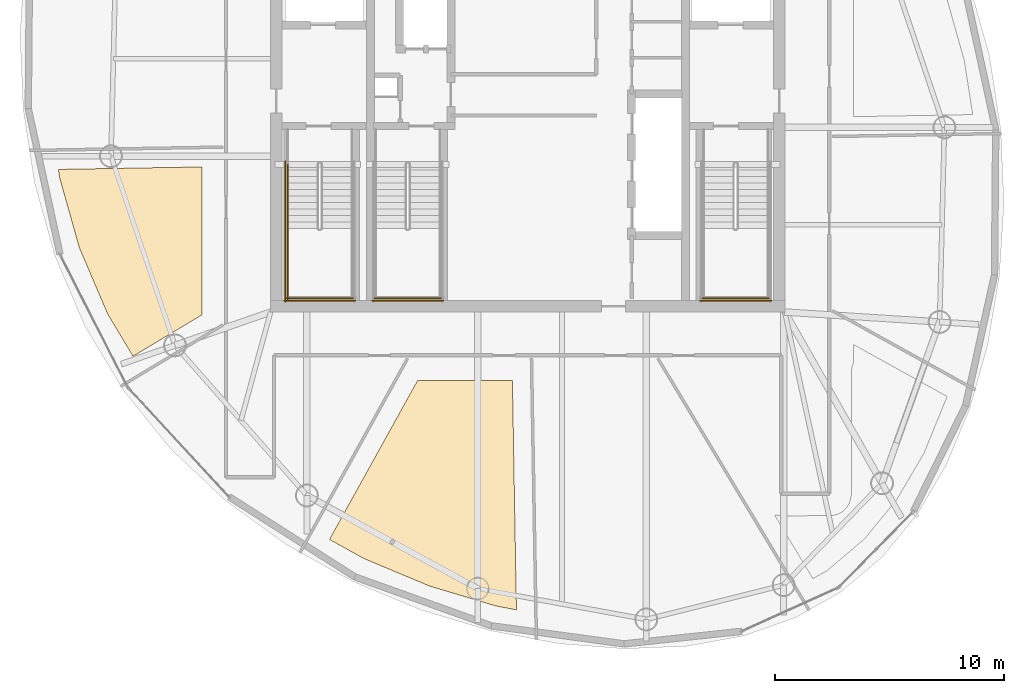
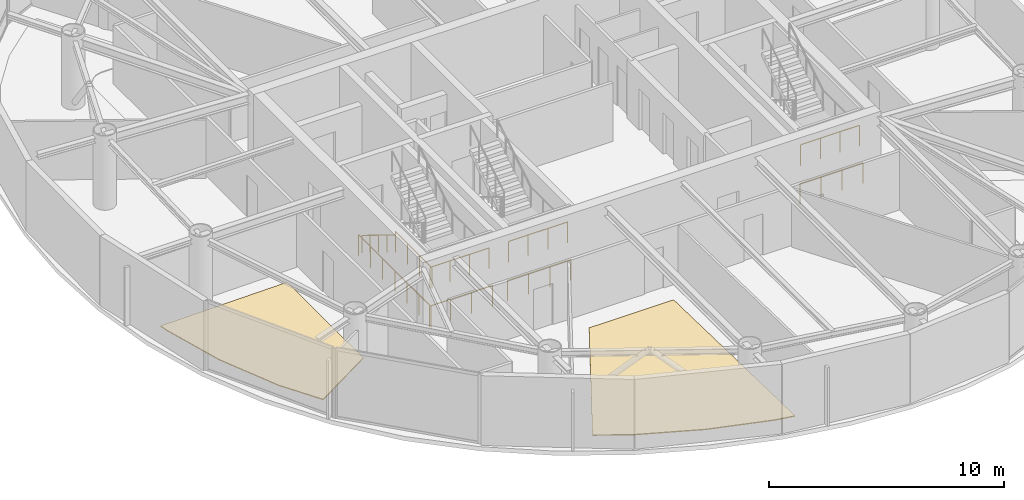
# One storey, part 20 of 22: 9 railings, 2 coverings.
"""IFC4 building model written with IfcOpenShell, lengths in metres."""

import ifcopenshell
import ifcopenshell.guid

model = None  # the IFC model being written
_history = None  # IfcOwnerHistory: only IFC2X3 demands one
_inside = {}  # id of a spatial element -> (the spatial element, [elements in it])
_under = {}  # id of a project, library or spatial element -> (it, [spatial elements below it])
_declared = {}  # id of a project -> (the project, [libraries it declares])
_typed = {}  # id of a type object -> (the type object, [elements of that type])
_made_of = {}  # id of a material, layer set ... -> (it, [elements and type objects made of it])


def new_model(schema):
    """Start an empty IFC model of exactly this schema.

    Asked for "IFC4X3", IfcOpenShell would pick the latest addendum, in which some entities
    have other attributes; the version numbers below select the first issue.
    IFC2X3 requires an IfcOwnerHistory on every rooted entity: one is made here for all.
    """
    global model, _history
    if schema == "IFC4X3":
        model = ifcopenshell.file(schema_version=(4, 3, 0, 0))
    else:
        model = ifcopenshell.file(schema=schema)
    _inside.clear()
    _under.clear()
    _declared.clear()
    _typed.clear()
    _made_of.clear()
    _history = None
    if model.schema == "IFC2X3":
        org = make("IfcOrganization", Name="unknown")
        user = make(
            "IfcPersonAndOrganization",
            ThePerson=make("IfcPerson", FamilyName="unknown"),
            TheOrganization=org,
        )
        app = make(
            "IfcApplication",
            ApplicationDeveloper=org,
            Version="unknown",
            ApplicationFullName="unknown",
            ApplicationIdentifier="unknown",
        )
        _history = make(
            "IfcOwnerHistory",
            OwningUser=user,
            OwningApplication=app,
            ChangeAction="ADDED",
            CreationDate=0,
        )
    return model


def make(cls, **values):
    """One entity of the class cls with the attributes given. An attribute that is None is left unset."""
    return model.create_entity(
        cls, **{name: value for name, value in values.items() if value is not None}
    )


def rooted(cls, **values):
    """An entity with a GlobalId (a new one), such as an element, a storey or a relation."""
    return make(cls, GlobalId=ifcopenshell.guid.new(), OwnerHistory=_history, **values)


def si_unit(unit_type, name, prefix=None):
    """IfcSIUnit, for example si_unit("LENGTHUNIT", "METRE", prefix="MILLI")."""
    return make("IfcSIUnit", UnitType=unit_type, Prefix=prefix, Name=name)


def assignment(units):
    """IfcUnitAssignment: the units of a project."""
    return None if units is None else make("IfcUnitAssignment", Units=units)


def point(xyz):
    """IfcCartesianPoint."""
    return None if xyz is None else make("IfcCartesianPoint", Coordinates=xyz)


def direction(xyz):
    """IfcDirection."""
    return None if xyz is None else make("IfcDirection", DirectionRatios=xyz)


def frame(location, z_axis=None, x_axis=None):
    """IfcAxis2Placement3D, a coordinate frame: its origin and axes. An axis left out is left unset."""
    return make(
        "IfcAxis2Placement3D",
        Location=point(location),
        Axis=direction(z_axis),
        RefDirection=direction(x_axis),
    )


def frame_2d(location, x_axis=None):
    """IfcAxis2Placement2D, a coordinate frame in the plane: its origin and x axis."""
    return make(
        "IfcAxis2Placement2D", Location=point(location), RefDirection=direction(x_axis)
    )


def origin():
    """The frame at (0, 0, 0) with its axes left unset."""
    return frame((0.0, 0.0, 0.0))


def origin_2d():
    """The frame at (0, 0) in the plane with its x axis left unset."""
    return frame_2d((0.0, 0.0))


def place(relative_to, where):
    """IfcLocalPlacement: puts the frame where relative to a parent placement (None: the world)."""
    return make(
        "IfcLocalPlacement", PlacementRelTo=relative_to, RelativePlacement=where
    )


def context(
    kind, dimensions, precision=None, world=None, true_north=None, identifier=None
):
    """IfcGeometricRepresentationContext, for example the 3D "Model" context."""
    return make(
        "IfcGeometricRepresentationContext",
        ContextIdentifier=identifier,
        ContextType=kind,
        CoordinateSpaceDimension=dimensions,
        Precision=precision,
        WorldCoordinateSystem=world,
        TrueNorth=true_north,
    )


def subcontext(parent, identifier, kind, view, scale=None):
    """IfcGeometricRepresentationSubContext, for example "Body" below "Model"."""
    return make(
        "IfcGeometricRepresentationSubContext",
        ContextIdentifier=identifier,
        ContextType=kind,
        ParentContext=parent,
        TargetScale=scale,
        TargetView=view,
    )


def project(units=None, contexts=None):
    """IfcProject with its units and contexts."""
    return rooted(
        "IfcProject",
        Name="project",
        RepresentationContexts=contexts,
        UnitsInContext=assignment(units),
    )


def spatial(cls, under=None, at=None, **own):
    """A site, building, storey or space (cls), placed at a placement, below another one or the project."""
    s = rooted(cls, ObjectPlacement=at, **own)
    if under is not None:
        _under.setdefault(under.id(), (under, []))[1].append(s)
    return s


def polyline(points):
    """IfcPolyline through the points."""
    return make("IfcPolyline", Points=[point(p) for p in points])


def profile(cls, at=None, kind="AREA", **sizes):
    """A parametric profile (cls). Its sizes go by their IFC names, for example OverallWidth=200.0."""
    return make(cls, ProfileType=kind, Position=at, **sizes)


def circle(**sizes):
    """IfcCircleProfileDef."""
    return profile("IfcCircleProfileDef", **sizes)


def outline(outer, holes=None, kind="AREA"):
    """IfcArbitraryClosedProfileDef: a profile drawn as a closed curve; with holes, ...WithVoids."""
    if holes is None:
        return make("IfcArbitraryClosedProfileDef", ProfileType=kind, OuterCurve=outer)
    return make(
        "IfcArbitraryProfileDefWithVoids",
        ProfileType=kind,
        OuterCurve=outer,
        InnerCurves=holes,
    )


def extrude(swept, where, along, depth):
    """IfcExtrudedAreaSolid: the profile swept, set in the frame where, extruded along a direction by depth."""
    return make(
        "IfcExtrudedAreaSolid",
        SweptArea=swept,
        Position=where,
        ExtrudedDirection=direction(along),
        Depth=depth,
    )


def shape(context_of_items, identifier, shape_type, items):
    """IfcShapeRepresentation: the items that make up one representation, for example the "Body"."""
    return make(
        "IfcShapeRepresentation",
        ContextOfItems=context_of_items,
        RepresentationIdentifier=identifier,
        RepresentationType=shape_type,
        Items=items,
    )


def material(Name=None, Category=None):
    """IfcMaterial."""
    return make("IfcMaterial", Name=Name, Category=Category)


def layer(
    of_material, thickness, ventilated=None, Name=None, Category=None, Priority=None
):
    """IfcMaterialLayer: one layer of a wall or slab, of a material (None: an air gap)."""
    return make(
        "IfcMaterialLayer",
        Material=of_material,
        LayerThickness=thickness,
        IsVentilated=ventilated,
        Name=Name,
        Category=Category,
        Priority=Priority,
    )


def layer_set(layers, Name=None):
    """IfcMaterialLayerSet."""
    return make("IfcMaterialLayerSet", MaterialLayers=layers, LayerSetName=Name)


def made_of(thing, what):
    """Note that an element or type object is made of a material, layer set ...; save() writes the relation."""
    if what is not None:
        _made_of.setdefault(what.id(), (what, []))[1].append(thing)
    return thing


def type_object(cls, material=None, **own):
    """A type object (cls), such as IfcWallType, which elements share."""
    return made_of(rooted(cls, **own), material)


def element(
    cls,
    number,
    at=None,
    inside=None,
    cuts=None,
    type_object=None,
    material=None,
    context=None,
    identifier="Body",
    shape_type=None,
    held_by="IfcProductDefinitionShape",
    body=None,
    shapes=None,
    **own,
):
    """One element of the class cls, such as IfcWall. Its Tag is "e" and its number.

    at: its placement. inside: the storey or other place that contains it. cuts: it is an
    opening in that element (IfcRelVoidsElement). A single representation is given by context,
    identifier, shape_type and body (its items); several are given by shapes. held_by: the class
    of the entity that holds the representations. save() writes the other relations.
    """
    e = rooted(cls, Tag="e%d" % number, ObjectPlacement=at, **own)
    if body is not None:
        shapes = [shape(context, identifier, shape_type, body)]
    if shapes is not None:
        e.Representation = make(held_by, Representations=shapes)
    if inside is not None:
        _inside.setdefault(inside.id(), (inside, []))[1].append(e)
    if cuts is not None:
        rooted(
            "IfcRelVoidsElement", RelatingBuildingElement=cuts, RelatedOpeningElement=e
        )
    if type_object is not None:
        _typed.setdefault(type_object.id(), (type_object, []))[1].append(e)
    return made_of(e, material)


def aggregate(whole, parts):
    """IfcRelAggregates: a whole, such as a stair, and the parts it consists of."""
    return rooted("IfcRelAggregates", RelatingObject=whole, RelatedObjects=parts)


def save(model, path):
    """Write the relations noted so far, then the file.

    IfcRelAggregates (storeys below a building ...), IfcRelContainedInSpatialStructure (elements
    in a storey), IfcRelDefinesByType, IfcRelAssociatesMaterial and IfcRelDeclares: one each for
    every whole, place, type object, material and project.
    """
    for whole, parts in _under.values():
        aggregate(whole, parts)
    for where, things in _inside.values():
        rooted(
            "IfcRelContainedInSpatialStructure",
            RelatedElements=things,
            RelatingStructure=where,
        )
    for kind, things in _typed.values():
        rooted("IfcRelDefinesByType", RelatedObjects=things, RelatingType=kind)
    for what, things in _made_of.values():
        rooted("IfcRelAssociatesMaterial", RelatedObjects=things, RelatingMaterial=what)
    for by, libraries in _declared.values():
        rooted("IfcRelDeclares", RelatingContext=by, RelatedDefinitions=libraries)
    model.write(path)


model = new_model("IFC4")

# Units and contexts
model_context = context("Model", 3, precision=1e-05, world=origin(), true_north=direction((0.0, 1.0)))
body_context = subcontext(model_context, "Body", "Model", "MODEL_VIEW")
ifc_project = project(units=[si_unit("LENGTHUNIT", "METRE"), si_unit("AREAUNIT", "SQUARE_METRE"), si_unit("VOLUMEUNIT", "CUBIC_METRE"), si_unit("PLANEANGLEUNIT", "RADIAN"), si_unit("MASSUNIT", "GRAM", prefix="KILO")], contexts=[model_context])

# Site, building, storey
site_placement = place(None, origin())
site = spatial("IfcSite", under=ifc_project, at=site_placement, CompositionType="ELEMENT")
building_placement = place(site_placement, origin())
building = spatial("IfcBuilding", under=site, at=building_placement, Name="Bramvorn Convention Spire", CompositionType="ELEMENT")
storey_placement = place(building_placement, frame((0.0, 0.0, 253.60009765625)))
storey = spatial("IfcBuildingStorey", under=building, at=storey_placement, Name="L64", CompositionType="ELEMENT", Elevation=253.60009765625)

# Coverings
ifc_material_1 = material(Name="Calcium-Sulphate Raised Access Office Floor", Category="steel")
ifc_layer = layer(ifc_material_1, 0.044921875)
ifc_layer_set = layer_set([ifc_layer], Name="Calcium-Sulphate Raised Access Office Floor - FLR-RAISED-45")
covering_type = type_object("IfcCoveringType", Name="FLR-RAISED-45", PredefinedType="FLOORING", material=ifc_layer_set)
covering_1_placement = place(storey_placement, origin())
element("IfcCovering", 1, at=covering_1_placement, inside=storey, type_object=covering_type, Name="L64 Arbitration Meeting Room 1 7 raised floor finish", PredefinedType="FLOORING", context=body_context, shape_type="SweptSolid", body=[
    extrude(outline(polyline([(19.618896484375, 18.46728515625), (20.72900390625, 16.6142578125), (23.75, 18.429443359375), (23.75, 24.901123046875), (17.463134765625, 24.79150390625), (17.521728515625, 24.415283203125), (18.379638671875, 21.369140625), (19.618896484375, 18.46728515625)])), origin(), (0.0, 0.0, 1.0), 0.044921875),
])
covering_2_placement = place(storey_placement, origin())
element("IfcCovering", 2, at=covering_2_placement, inside=storey, type_object=covering_type, Name="L64 Case File Store 9 raised floor finish", PredefinedType="FLOORING", context=body_context, shape_type="SweptSolid", body=[
    extrude(outline(polyline([(36.621337890625, 5.684814453125), (37.50732421875, 5.516357421875), (37.332275390625, 15.550048828125), (33.17919921875, 15.550048828125), (29.32568359375, 8.59814453125), (30.8291015625, 7.7626953125), (33.7080078125, 6.55859375), (36.621337890625, 5.684814453125)])), origin(), (0.0, 0.0, 1.0), 0.044921875),
])

# Railings
ifc_material_2 = material(Name="Painted Steel Balustrade & Guardrail", Category="steel")
railing_type_1 = type_object("IfcRailingType", Name="RL-STAIR-GUARD-1100", PredefinedType="GUARDRAIL", material=ifc_material_2)
railing_1_placement = place(storey_placement, frame((27.5, 22.199951171875, 1.9248046875)))
element("IfcRailing", 3, at=railing_1_placement, inside=storey, type_object=railing_type_1, Name="L64 ST1 stair guard 3", PredefinedType="GUARDRAIL", context=body_context, shape_type="SweptSolid", body=[
    extrude(circle(Radius=0.02392578125, at=origin_2d()), frame((0.0, 0.0, 1.076171875), z_axis=(0.0, -1.0, 0.0), x_axis=(1.0, 0.0, 0.0)), (0.0, 0.0, 1.0), 3.099853515625),
    extrude(circle(Radius=0.02099609375, at=origin_2d()), origin(), (0.0, 0.0, 1.0), 1.052001953125),
    extrude(circle(Radius=0.02099609375, at=origin_2d()), frame((0.0, -1.033203125, 0.0)), (0.0, 0.0, 1.0), 1.052001953125),
    extrude(circle(Radius=0.02099609375, at=origin_2d()), frame((0.0, -2.066650390625, 0.0)), (0.0, 0.0, 1.0), 1.052001953125),
    extrude(circle(Radius=0.02099609375, at=origin_2d()), frame((0.0, -3.099853515625, 0.0)), (0.0, 0.0, 1.0), 1.052001953125),
])
railing_2_placement = place(storey_placement, frame((27.449951171875, 19.14990234375, 1.9248046875)))
element("IfcRailing", 4, at=railing_2_placement, inside=storey, type_object=railing_type_1, Name="L64 ST1 stair guard 5", PredefinedType="GUARDRAIL", context=body_context, shape_type="SweptSolid", body=[
    extrude(circle(Radius=0.02392578125, at=origin_2d()), frame((0.0, 0.0, 1.076171875), z_axis=(1.0, 0.0, 0.0), x_axis=(0.0, 1.0, 0.0)), (0.0, 0.0, 1.0), 2.900146484375),
    extrude(circle(Radius=0.02099609375, at=origin_2d()), origin(), (0.0, 0.0, 1.0), 1.052001953125),
    extrude(circle(Radius=0.02099609375, at=origin_2d()), frame((0.966796875, 0.0, 0.0)), (0.0, 0.0, 1.0), 1.052001953125),
    extrude(circle(Radius=0.02099609375, at=origin_2d()), frame((1.933349609375, 0.0, 0.0)), (0.0, 0.0, 1.0), 1.052001953125),
    extrude(circle(Radius=0.02099609375, at=origin_2d()), frame((2.900146484375, 0.0, 0.0)), (0.0, 0.0, 1.0), 1.052001953125),
])
railing_3_placement = place(storey_placement, frame((27.39990234375, 25.14990234375, 0.0)))
element("IfcRailing", 5, at=railing_3_placement, inside=storey, type_object=railing_type_1, Name="L64 ST1 stair guard 10", PredefinedType="GUARDRAIL", context=body_context, shape_type="SweptSolid", body=[
    extrude(circle(Radius=0.02392578125, at=origin_2d()), frame((0.0, 0.0, 1.076171875), z_axis=(0.0, -1.0, 0.0), x_axis=(1.0, 0.0, 0.0)), (0.0, 0.0, 1.0), 6.14990234375),
    extrude(circle(Radius=0.02099609375, at=origin_2d()), origin(), (0.0, 0.0, 1.0), 1.052001953125),
    extrude(circle(Radius=0.02099609375, at=origin_2d()), frame((0.0, -1.02490234375, 0.0)), (0.0, 0.0, 1.0), 1.052001953125),
    extrude(circle(Radius=0.02099609375, at=origin_2d()), frame((0.0, -2.050048828125, 0.0)), (0.0, 0.0, 1.0), 1.052001953125),
    extrude(circle(Radius=0.02099609375, at=origin_2d()), frame((0.0, -3.074951171875, 0.0)), (0.0, 0.0, 1.0), 1.052001953125),
    extrude(circle(Radius=0.02099609375, at=origin_2d()), frame((0.0, -4.099853515625, 0.0)), (0.0, 0.0, 1.0), 1.052001953125),
    extrude(circle(Radius=0.02099609375, at=origin_2d()), frame((0.0, -5.125, 0.0)), (0.0, 0.0, 1.0), 1.052001953125),
    extrude(circle(Radius=0.02099609375, at=origin_2d()), frame((0.0, -6.14990234375, 0.0)), (0.0, 0.0, 1.0), 1.052001953125),
])
railing_4_placement = place(storey_placement, frame((27.35009765625, 19.050048828125, 0.0)))
element("IfcRailing", 6, at=railing_4_placement, inside=storey, type_object=railing_type_1, Name="L64 ST1 stair guard 12", PredefinedType="GUARDRAIL", context=body_context, shape_type="SweptSolid", body=[
    extrude(circle(Radius=0.02392578125, at=origin_2d()), frame((0.0, 0.0, 1.076171875), z_axis=(1.0, 0.0, 0.0), x_axis=(0.0, 1.0, 0.0)), (0.0, 0.0, 1.0), 3.099853515625),
    extrude(circle(Radius=0.02099609375, at=origin_2d()), origin(), (0.0, 0.0, 1.0), 1.052001953125),
    extrude(circle(Radius=0.02099609375, at=origin_2d()), frame((1.033203125, 0.0, 0.0)), (0.0, 0.0, 1.0), 1.052001953125),
    extrude(circle(Radius=0.02099609375, at=origin_2d()), frame((2.066650390625, 0.0, 0.0)), (0.0, 0.0, 1.0), 1.052001953125),
    extrude(circle(Radius=0.02099609375, at=origin_2d()), frame((3.099853515625, 0.0, 0.0)), (0.0, 0.0, 1.0), 1.052001953125),
])
railing_5_placement = place(storey_placement, frame((45.64990234375, 19.14990234375, 1.9248046875)))
element("IfcRailing", 7, at=railing_5_placement, inside=storey, type_object=railing_type_1, Name="L64 ST2 stair guard 5", PredefinedType="GUARDRAIL", context=body_context, shape_type="SweptSolid", body=[
    extrude(circle(Radius=0.02392578125, at=origin_2d()), frame((0.0, 0.0, 1.076171875), z_axis=(1.0, 0.0, 0.0), x_axis=(0.0, 1.0, 0.0)), (0.0, 0.0, 1.0), 2.900146484375),
    extrude(circle(Radius=0.02099609375, at=origin_2d()), origin(), (0.0, 0.0, 1.0), 1.052001953125),
    extrude(circle(Radius=0.02099609375, at=origin_2d()), frame((0.966796875, 0.0, 0.0)), (0.0, 0.0, 1.0), 1.052001953125),
    extrude(circle(Radius=0.02099609375, at=origin_2d()), frame((1.933349609375, 0.0, 0.0)), (0.0, 0.0, 1.0), 1.052001953125),
    extrude(circle(Radius=0.02099609375, at=origin_2d()), frame((2.900146484375, 0.0, 0.0)), (0.0, 0.0, 1.0), 1.052001953125),
])
railing_6_placement = place(storey_placement, frame((45.550048828125, 19.050048828125, 0.0)))
element("IfcRailing", 8, at=railing_6_placement, inside=storey, type_object=railing_type_1, Name="L64 ST2 stair guard 12", PredefinedType="GUARDRAIL", context=body_context, shape_type="SweptSolid", body=[
    extrude(circle(Radius=0.02392578125, at=origin_2d()), frame((0.0, 0.0, 1.076171875), z_axis=(1.0, 0.0, 0.0), x_axis=(0.0, 1.0, 0.0)), (0.0, 0.0, 1.0), 3.099853515625),
    extrude(circle(Radius=0.02099609375, at=origin_2d()), origin(), (0.0, 0.0, 1.0), 1.052001953125),
    extrude(circle(Radius=0.02099609375, at=origin_2d()), frame((1.033203125, 0.0, 0.0)), (0.0, 0.0, 1.0), 1.052001953125),
    extrude(circle(Radius=0.02099609375, at=origin_2d()), frame((2.066650390625, 0.0, 0.0)), (0.0, 0.0, 1.0), 1.052001953125),
    extrude(circle(Radius=0.02099609375, at=origin_2d()), frame((3.099853515625, 0.0, 0.0)), (0.0, 0.0, 1.0), 1.052001953125),
])
railing_7_placement = place(storey_placement, frame((31.300048828125, 19.14990234375, 1.9248046875)))
element("IfcRailing", 9, at=railing_7_placement, inside=storey, type_object=railing_type_1, Name="L64 ST3 stair guard 5", PredefinedType="GUARDRAIL", context=body_context, shape_type="SweptSolid", body=[
    extrude(circle(Radius=0.02392578125, at=origin_2d()), frame((0.0, 0.0, 1.076171875), z_axis=(1.0, 0.0, 0.0), x_axis=(0.0, 1.0, 0.0)), (0.0, 0.0, 1.0), 2.89990234375),
    extrude(circle(Radius=0.02099609375, at=origin_2d()), origin(), (0.0, 0.0, 1.0), 1.052001953125),
    extrude(circle(Radius=0.02099609375, at=origin_2d()), frame((0.966552734375, 0.0, 0.0)), (0.0, 0.0, 1.0), 1.052001953125),
    extrude(circle(Radius=0.02099609375, at=origin_2d()), frame((1.933349609375, 0.0, 0.0)), (0.0, 0.0, 1.0), 1.052001953125),
    extrude(circle(Radius=0.02099609375, at=origin_2d()), frame((2.89990234375, 0.0, 0.0)), (0.0, 0.0, 1.0), 1.052001953125),
])
railing_8_placement = place(storey_placement, frame((31.199951171875, 19.050048828125, 0.0)))
element("IfcRailing", 10, at=railing_8_placement, inside=storey, type_object=railing_type_1, Name="L64 ST3 stair guard 12", PredefinedType="GUARDRAIL", context=body_context, shape_type="SweptSolid", body=[
    extrude(circle(Radius=0.02392578125, at=origin_2d()), frame((0.0, 0.0, 1.076171875), z_axis=(1.0, 0.0, 0.0), x_axis=(0.0, 1.0, 0.0)), (0.0, 0.0, 1.0), 3.10009765625),
    extrude(circle(Radius=0.02099609375, at=origin_2d()), origin(), (0.0, 0.0, 1.0), 1.052001953125),
    extrude(circle(Radius=0.02099609375, at=origin_2d()), frame((1.033447265625, 0.0, 0.0)), (0.0, 0.0, 1.0), 1.052001953125),
    extrude(circle(Radius=0.02099609375, at=origin_2d()), frame((2.066650390625, 0.0, 0.0)), (0.0, 0.0, 1.0), 1.052001953125),
    extrude(circle(Radius=0.02099609375, at=origin_2d()), frame((3.10009765625, 0.0, 0.0)), (0.0, 0.0, 1.0), 1.052001953125),
])
ifc_material_3 = material(Name="Brushed Bronze Tubular Handrail", Category="aluminium")
railing_type_2 = type_object("IfcRailingType", Name="RL-STAIR-HR-920", PredefinedType="HANDRAIL", material=ifc_material_3)
railing_9_placement = place(storey_placement, frame((27.5, 25.050048828125, 0.1748046875)))
element("IfcRailing", 11, at=railing_9_placement, inside=storey, type_object=railing_type_2, Name="L64 ST1 stair handrail 1", PredefinedType="HANDRAIL", context=body_context, shape_type="SweptSolid", body=[
    extrude(circle(Radius=0.02392578125, at=origin_2d()), frame((0.0, 0.0, 0.89599609375), z_axis=(0.0, -0.852179220489, 0.52325001306), x_axis=(1.0, 0.0, 0.0)), (0.0, 0.0, 1.0), 3.344482421875),
    extrude(circle(Radius=0.02099609375, at=origin_2d()), origin(), (0.0, 0.0, 1.0), 0.871826171875),
    extrude(circle(Radius=0.02099609375, at=origin_2d()), frame((0.0, -0.71240234375, 0.4375)), (0.0, 0.0, 1.0), 0.871826171875),
    extrude(circle(Radius=0.02099609375, at=origin_2d()), frame((0.0, -1.425048828125, 0.875)), (0.0, 0.0, 1.0), 0.871826171875),
    extrude(circle(Radius=0.02099609375, at=origin_2d()), frame((0.0, -2.1376953125, 1.3125)), (0.0, 0.0, 1.0), 0.871826171875),
    extrude(circle(Radius=0.02099609375, at=origin_2d()), frame((0.0, -2.85009765625, 1.75)), (0.0, 0.0, 1.0), 0.871826171875),
])

save(model, "model.ifc")
